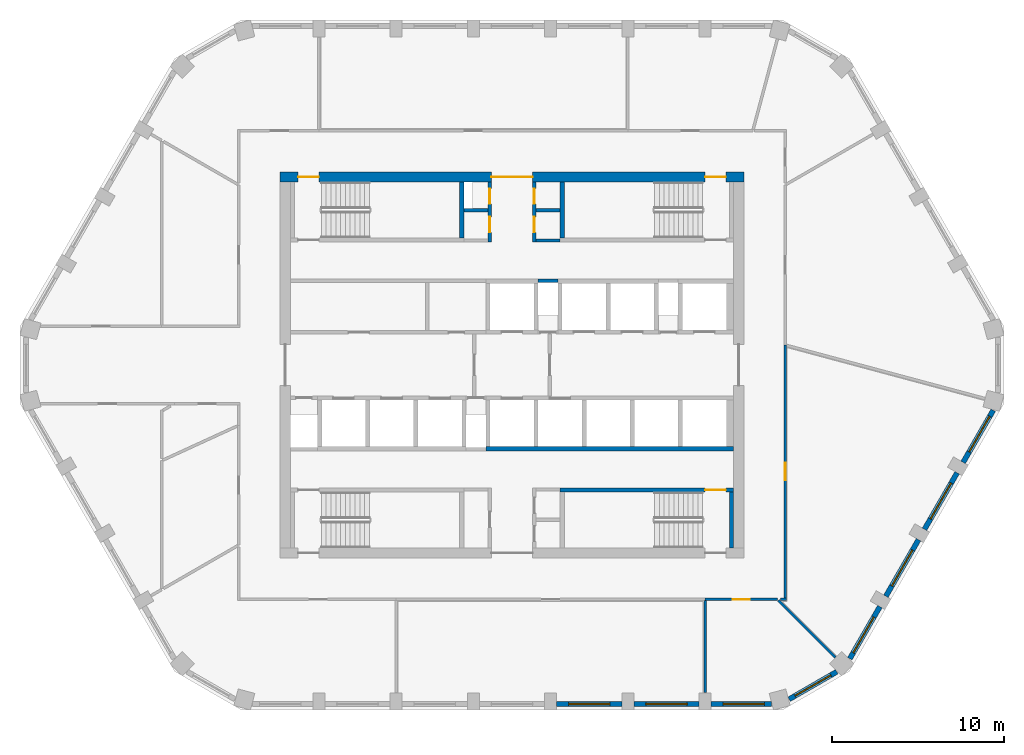
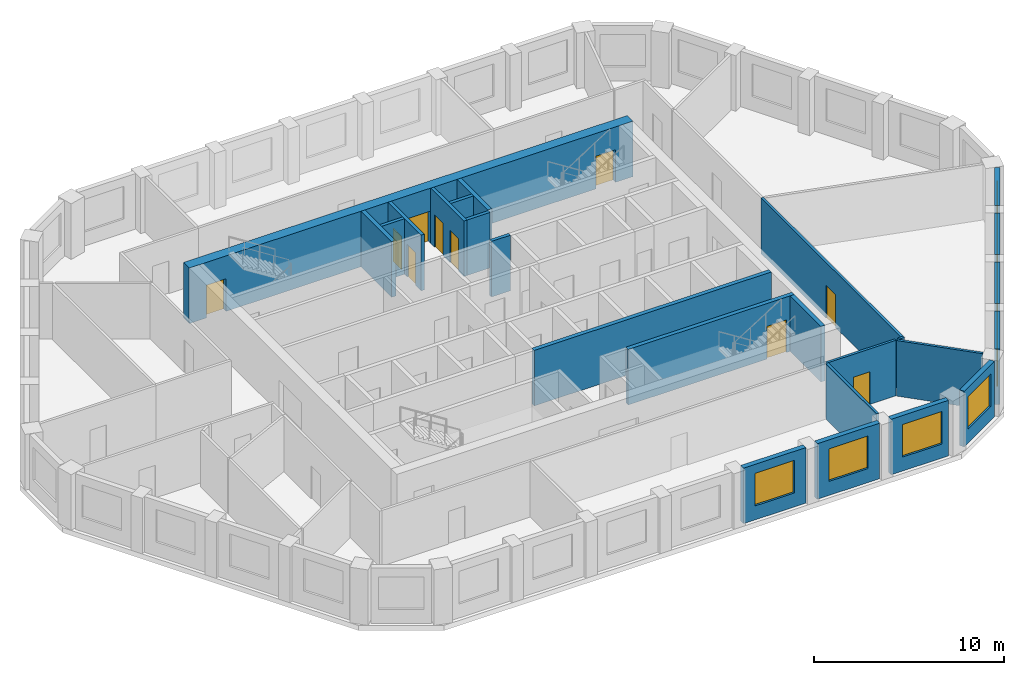
# One storey, part 4 of 10: 25 walls, 10 doors, 8 windows, 18 openings.
"""IFC4 building model written with IfcOpenShell, lengths in metres."""

from ifc_helpers import new_model, si_unit, direction, frame, frame_2d, origin, place, context, subcontext, project, spatial, polyline, rectangle, outline, extrude, material, layer, layer_set, type_object, element, fill, save


model = new_model("IFC4")

# Units and contexts
model_context = context("Model", 3, precision=1e-05, world=origin(), true_north=direction((0.0, 1.0)))
body_context = subcontext(model_context, "Body", "Model", "MODEL_VIEW")
ifc_project = project(units=[si_unit("LENGTHUNIT", "METRE"), si_unit("AREAUNIT", "SQUARE_METRE"), si_unit("VOLUMEUNIT", "CUBIC_METRE"), si_unit("PLANEANGLEUNIT", "RADIAN"), si_unit("MASSUNIT", "GRAM", prefix="KILO")], contexts=[model_context])

# Site, building, storey
site_placement = place(None, origin())
site = spatial("IfcSite", under=ifc_project, at=site_placement, CompositionType="ELEMENT")
building_placement = place(site_placement, origin())
building = spatial("IfcBuilding", under=site, at=building_placement, Name="Dhurran Vertical Campus", CompositionType="ELEMENT")
storey_placement = place(building_placement, frame((0.0, 0.0, 243.0)))
storey = spatial("IfcBuildingStorey", under=building, at=storey_placement, Name="L60", CompositionType="ELEMENT", Elevation=243.0)

# Wall, opening, window
ifc_material_1 = material(Name="Precast concrete C50/60", Category="concrete")
ifc_layer_1 = layer(ifc_material_1, 0.300048828125)
ifc_layer_set_1 = layer_set([ifc_layer_1], Name="Precast concrete C50/60")
wall_type_1 = type_object("IfcWallType", Name="Precast spandrel wall 300", PredefinedType="SOLIDWALL", material=ifc_layer_set_1)
wall_1_placement = place(storey_placement, frame((2.6005859375, -19.738525390625, 0.0), z_axis=(0.0, 0.0, 1.0), x_axis=(1.0, 0.0, 0.0)))
wall_1 = element("IfcWall", 1, at=wall_1_placement, inside=storey, type_object=wall_type_1, Name="EW1 L60.04", PredefinedType="SOLIDWALL", context=body_context, shape_type="SweptSolid", body=[
    extrude(rectangle(XDim=3.798828125, YDim=0.300048828125, at=frame_2d((1.8994140625, 0.0))), origin(), (0.0, 0.0, 1.0), 3.574951171875),
])
opening_1_placement = place(wall_1_placement, frame((0.699462890625, 0.0, 0.89990234375)))
opening_1 = element("IfcOpeningElement", 2, at=opening_1_placement, cuts=wall_1, Name="Opening WT1", PredefinedType="OPENING", context=body_context, shape_type="SweptSolid", body=[
    extrude(rectangle(XDim=2.39990234375, YDim=2.10009765625, at=frame_2d((1.199951171875, 1.050048828125))), frame((0.0, 0.159912109375, 0.0), z_axis=(0.0, -1.0, 0.0), x_axis=(1.0, 0.0, 0.0)), (0.0, 0.0, 1.0), 0.320068359375),
])
ifc_material_2 = material(Name="Aluminium frame with solar-control glass", Category="aluminium")
window_type = type_object("IfcWindowType", Name="Punched window 2400 x 2100", PartitioningType="SINGLE_PANEL", PredefinedType="WINDOW", material=ifc_material_2)
window_1_placement = place(opening_1_placement, origin())
window_1 = element("IfcWindow", 3, at=window_1_placement, inside=storey, type_object=window_type, Name="WT1 L60.04", OverallHeight=2.10009765625, OverallWidth=2.39990234375, PartitioningType="SINGLE_PANEL", PredefinedType="WINDOW", context=body_context, shape_type="SweptSolid", body=[
    extrude(rectangle(XDim=2.39990234375, YDim=2.10009765625, at=frame_2d((1.199951171875, 1.050048828125))), frame((0.0, 0.030029296875, 0.0), z_axis=(0.0, -1.0, 0.0), x_axis=(1.0, 0.0, 0.0)), (0.0, 0.0, 1.0), 0.06005859375),
])
fill(opening_1, window_1)

wall_2_placement = place(storey_placement, frame((7.1005859375, -19.738525390625, 0.0), z_axis=(0.0, 0.0, 1.0), x_axis=(1.0, 0.0, 0.0)))
wall_2 = element("IfcWall", 4, at=wall_2_placement, inside=storey, type_object=wall_type_1, Name="EW1 L60.05", PredefinedType="SOLIDWALL", context=body_context, shape_type="SweptSolid", body=[
    extrude(rectangle(XDim=3.798828125, YDim=0.300048828125, at=frame_2d((1.8994140625, 0.0))), origin(), (0.0, 0.0, 1.0), 3.574951171875),
])
opening_2_placement = place(wall_2_placement, frame((0.699462890625, 0.0, 0.89990234375)))
opening_2 = element("IfcOpeningElement", 5, at=opening_2_placement, cuts=wall_2, Name="Opening WT1", PredefinedType="OPENING", context=body_context, shape_type="SweptSolid", body=[
    extrude(rectangle(XDim=2.39990234375, YDim=2.10009765625, at=frame_2d((1.199951171875, 1.050048828125))), frame((0.0, 0.159912109375, 0.0), z_axis=(0.0, -1.0, 0.0), x_axis=(1.0, 0.0, 0.0)), (0.0, 0.0, 1.0), 0.320068359375),
])
window_2_placement = place(opening_2_placement, origin())
window_2 = element("IfcWindow", 6, at=window_2_placement, inside=storey, type_object=window_type, Name="WT1 L60.05", OverallHeight=2.10009765625, OverallWidth=2.39990234375, PartitioningType="SINGLE_PANEL", PredefinedType="WINDOW", context=body_context, shape_type="SweptSolid", body=[
    extrude(rectangle(XDim=2.39990234375, YDim=2.10009765625, at=frame_2d((1.199951171875, 1.050048828125))), frame((0.0, 0.030029296875, 0.0), z_axis=(0.0, -1.0, 0.0), x_axis=(1.0, 0.0, 0.0)), (0.0, 0.0, 1.0), 0.06005859375),
])
fill(opening_2, window_2)

wall_3_placement = place(storey_placement, frame((11.6005859375, -19.738525390625, 0.0), z_axis=(0.0, 0.0, 1.0), x_axis=(1.0, 0.0, 0.0)))
wall_3 = element("IfcWall", 7, at=wall_3_placement, inside=storey, type_object=wall_type_1, Name="EW1 L60.06", PredefinedType="SOLIDWALL", context=body_context, shape_type="SweptSolid", body=[
    extrude(rectangle(XDim=3.49755859375, YDim=0.300048828125, at=frame_2d((1.748779296875, 0.0))), origin(), (0.0, 0.0, 1.0), 3.574951171875),
])
opening_3_placement = place(wall_3_placement, frame((0.699462890625, 0.0, 0.89990234375)))
opening_3 = element("IfcOpeningElement", 8, at=opening_3_placement, cuts=wall_3, Name="Opening WT1", PredefinedType="OPENING", context=body_context, shape_type="SweptSolid", body=[
    extrude(rectangle(XDim=2.39990234375, YDim=2.10009765625, at=frame_2d((1.199951171875, 1.050048828125))), frame((0.0, 0.159912109375, 0.0), z_axis=(0.0, -1.0, 0.0), x_axis=(1.0, 0.0, 0.0)), (0.0, 0.0, 1.0), 0.320068359375),
])
window_3_placement = place(opening_3_placement, origin())
window_3 = element("IfcWindow", 9, at=window_3_placement, inside=storey, type_object=window_type, Name="WT1 L60.06", OverallHeight=2.10009765625, OverallWidth=2.39990234375, PartitioningType="SINGLE_PANEL", PredefinedType="WINDOW", context=body_context, shape_type="SweptSolid", body=[
    extrude(rectangle(XDim=2.39990234375, YDim=2.10009765625, at=frame_2d((1.199951171875, 1.050048828125))), frame((0.0, 0.030029296875, 0.0), z_axis=(0.0, -1.0, 0.0), x_axis=(1.0, 0.0, 0.0)), (0.0, 0.0, 1.0), 0.06005859375),
])
fill(opening_3, window_3)

wall_4_placement = place(storey_placement, frame((16.1396484375, -19.45947265625, 0.0), z_axis=(0.0, 0.0, 1.0), x_axis=(0.866025316205, 0.500000151692, 0.0)))
wall_4 = element("IfcWall", 10, at=wall_4_placement, inside=storey, type_object=wall_type_1, Name="EW1 L60.07", PredefinedType="SOLIDWALL", context=body_context, shape_type="SweptSolid", body=[
    extrude(rectangle(XDim=3.1962890625, YDim=0.300048828125, at=frame_2d((1.59814453125, 0.0))), origin(), (0.0, 0.0, 1.0), 3.574951171875),
])
opening_4_placement = place(wall_4_placement, frame((0.398193359375, 0.0, 0.89990234375)))
opening_4 = element("IfcOpeningElement", 11, at=opening_4_placement, cuts=wall_4, Name="Opening WT1", PredefinedType="OPENING", context=body_context, shape_type="SweptSolid", body=[
    extrude(rectangle(XDim=2.39990234375, YDim=2.10009765625, at=frame_2d((1.199951171875, 1.050048828125))), frame((0.0, 0.159912109375, 0.0), z_axis=(0.0, -1.0, 0.0), x_axis=(1.0, 0.0, 0.0)), (0.0, 0.0, 1.0), 0.320068359375),
])
window_4_placement = place(opening_4_placement, origin())
window_4 = element("IfcWindow", 12, at=window_4_placement, inside=storey, type_object=window_type, Name="WT1 L60.07", OverallHeight=2.10009765625, OverallWidth=2.39990234375, PartitioningType="SINGLE_PANEL", PredefinedType="WINDOW", context=body_context, shape_type="SweptSolid", body=[
    extrude(rectangle(XDim=2.39990234375, YDim=2.10009765625, at=frame_2d((1.199951171875, 1.050048828125))), frame((0.0, 0.030029296875, 0.0), z_axis=(0.0, -1.0, 0.0), x_axis=(1.0, 0.0, 0.0)), (0.0, 0.0, 1.0), 0.06005859375),
])
fill(opening_4, window_4)

wall_5_placement = place(storey_placement, frame((19.669921875, -17.09912109375, 0.0), z_axis=(0.0, 0.0, 1.0), x_axis=(0.499960102815, 0.866048437209, 0.0)))
wall_5 = element("IfcWall", 13, at=wall_5_placement, inside=storey, type_object=wall_type_1, Name="EW1 L60.08", PredefinedType="SOLIDWALL", context=body_context, shape_type="SweptSolid", body=[
    extrude(rectangle(XDim=3.497802734375, YDim=0.300048828125, at=frame_2d((1.7490234375, 0.0))), origin(), (0.0, 0.0, 1.0), 3.574951171875),
])
opening_5_placement = place(wall_5_placement, frame((0.398193359375, 0.0, 0.89990234375)))
opening_5 = element("IfcOpeningElement", 14, at=opening_5_placement, cuts=wall_5, Name="Opening WT1", PredefinedType="OPENING", context=body_context, shape_type="SweptSolid", body=[
    extrude(rectangle(XDim=2.39990234375, YDim=2.10009765625, at=frame_2d((1.199951171875, 1.050048828125))), frame((0.0, 0.159912109375, 0.0), z_axis=(0.0, -1.0, 0.0), x_axis=(1.0, 0.0, 0.0)), (0.0, 0.0, 1.0), 0.320068359375),
])
window_5_placement = place(opening_5_placement, origin())
window_5 = element("IfcWindow", 15, at=window_5_placement, inside=storey, type_object=window_type, Name="WT1 L60.08", OverallHeight=2.10009765625, OverallWidth=2.39990234375, PartitioningType="SINGLE_PANEL", PredefinedType="WINDOW", context=body_context, shape_type="SweptSolid", body=[
    extrude(rectangle(XDim=2.39990234375, YDim=2.10009765625, at=frame_2d((1.199951171875, 1.050048828125))), frame((0.0, 0.030029296875, 0.0), z_axis=(0.0, -1.0, 0.0), x_axis=(1.0, 0.0, 0.0)), (0.0, 0.0, 1.0), 0.06005859375),
])
fill(opening_5, window_5)

wall_6_placement = place(storey_placement, frame((21.769287109375, -13.462890625, 0.0), z_axis=(0.0, 0.0, 1.0), x_axis=(0.499982058975, 0.866035761792, 0.0)))
wall_6 = element("IfcWall", 16, at=wall_6_placement, inside=storey, type_object=wall_type_1, Name="EW1 L60.09", PredefinedType="SOLIDWALL", context=body_context, shape_type="SweptSolid", body=[
    extrude(rectangle(XDim=3.799072265625, YDim=0.300048828125, at=frame_2d((1.8994140625, 0.0))), origin(), (0.0, 0.0, 1.0), 3.574951171875),
])
opening_6_placement = place(wall_6_placement, frame((0.699462890625, 0.0, 0.89990234375)))
opening_6 = element("IfcOpeningElement", 17, at=opening_6_placement, cuts=wall_6, Name="Opening WT1", PredefinedType="OPENING", context=body_context, shape_type="SweptSolid", body=[
    extrude(rectangle(XDim=2.39990234375, YDim=2.10009765625, at=frame_2d((1.199951171875, 1.050048828125))), frame((0.0, 0.159912109375, 0.0), z_axis=(0.0, -1.0, 0.0), x_axis=(1.0, 0.0, 0.0)), (0.0, 0.0, 1.0), 0.320068359375),
])
window_6_placement = place(opening_6_placement, origin())
window_6 = element("IfcWindow", 18, at=window_6_placement, inside=storey, type_object=window_type, Name="WT1 L60.09", OverallHeight=2.10009765625, OverallWidth=2.39990234375, PartitioningType="SINGLE_PANEL", PredefinedType="WINDOW", context=body_context, shape_type="SweptSolid", body=[
    extrude(rectangle(XDim=2.39990234375, YDim=2.10009765625, at=frame_2d((1.199951171875, 1.050048828125))), frame((0.0, 0.030029296875, 0.0), z_axis=(0.0, -1.0, 0.0), x_axis=(1.0, 0.0, 0.0)), (0.0, 0.0, 1.0), 0.06005859375),
])
fill(opening_6, window_6)

wall_7_placement = place(storey_placement, frame((24.019287109375, -9.565673828125, 0.0), z_axis=(0.0, 0.0, 1.0), x_axis=(0.499982058975, 0.866035761792, 0.0)))
wall_7 = element("IfcWall", 19, at=wall_7_placement, inside=storey, type_object=wall_type_1, Name="EW1 L60.10", PredefinedType="SOLIDWALL", context=body_context, shape_type="SweptSolid", body=[
    extrude(rectangle(XDim=3.799072265625, YDim=0.300048828125, at=frame_2d((1.8994140625, 0.0))), origin(), (0.0, 0.0, 1.0), 3.574951171875),
])
opening_7_placement = place(wall_7_placement, frame((0.699462890625, 0.0, 0.89990234375)))
opening_7 = element("IfcOpeningElement", 20, at=opening_7_placement, cuts=wall_7, Name="Opening WT1", PredefinedType="OPENING", context=body_context, shape_type="SweptSolid", body=[
    extrude(rectangle(XDim=2.39990234375, YDim=2.10009765625, at=frame_2d((1.199951171875, 1.050048828125))), frame((0.0, 0.159912109375, 0.0), z_axis=(0.0, -1.0, 0.0), x_axis=(1.0, 0.0, 0.0)), (0.0, 0.0, 1.0), 0.320068359375),
])
window_7_placement = place(opening_7_placement, origin())
window_7 = element("IfcWindow", 21, at=window_7_placement, inside=storey, type_object=window_type, Name="WT1 L60.10", OverallHeight=2.10009765625, OverallWidth=2.39990234375, PartitioningType="SINGLE_PANEL", PredefinedType="WINDOW", context=body_context, shape_type="SweptSolid", body=[
    extrude(rectangle(XDim=2.39990234375, YDim=2.10009765625, at=frame_2d((1.199951171875, 1.050048828125))), frame((0.0, 0.030029296875, 0.0), z_axis=(0.0, -1.0, 0.0), x_axis=(1.0, 0.0, 0.0)), (0.0, 0.0, 1.0), 0.06005859375),
])
fill(opening_7, window_7)

wall_8_placement = place(storey_placement, frame((26.269287109375, -5.668701171875, 0.0), z_axis=(0.0, 0.0, 1.0), x_axis=(0.499990325971, 0.866030989016, 0.0)))
wall_8 = element("IfcWall", 22, at=wall_8_placement, inside=storey, type_object=wall_type_1, Name="EW1 L60.11", PredefinedType="SOLIDWALL", context=body_context, shape_type="SweptSolid", body=[
    extrude(rectangle(XDim=3.49755859375, YDim=0.300048828125, at=frame_2d((1.748779296875, 0.0))), origin(), (0.0, 0.0, 1.0), 3.574951171875),
])
opening_8_placement = place(wall_8_placement, frame((0.699462890625, 0.0, 0.89990234375)))
opening_8 = element("IfcOpeningElement", 23, at=opening_8_placement, cuts=wall_8, Name="Opening WT1", PredefinedType="OPENING", context=body_context, shape_type="SweptSolid", body=[
    extrude(rectangle(XDim=2.39990234375, YDim=2.10009765625, at=frame_2d((1.199951171875, 1.050048828125))), frame((0.0, 0.159912109375, 0.0), z_axis=(0.0, -1.0, 0.0), x_axis=(1.0, 0.0, 0.0)), (0.0, 0.0, 1.0), 0.320068359375),
])
window_8_placement = place(opening_8_placement, origin())
window_8 = element("IfcWindow", 24, at=window_8_placement, inside=storey, type_object=window_type, Name="WT1 L60.11", OverallHeight=2.10009765625, OverallWidth=2.39990234375, PartitioningType="SINGLE_PANEL", PredefinedType="WINDOW", context=body_context, shape_type="SweptSolid", body=[
    extrude(rectangle(XDim=2.39990234375, YDim=2.10009765625, at=frame_2d((1.199951171875, 1.050048828125))), frame((0.0, 0.030029296875, 0.0), z_axis=(0.0, -1.0, 0.0), x_axis=(1.0, 0.0, 0.0)), (0.0, 0.0, 1.0), 0.06005859375),
])
fill(opening_8, window_8)

# Wall, openings, doors
ifc_material_3 = material(Name="Concrete C50/60", Category="concrete")
ifc_layer_2 = layer(ifc_material_3, 0.60009765625)
ifc_layer_set_2 = layer_set([ifc_layer_2], Name="Concrete C50/60")
wall_type_2 = type_object("IfcWallType", Name="co-CORE-WALL-C2-600", PredefinedType="SHEAR", material=ifc_layer_set_2)
wall_9_placement = place(storey_placement, frame((-13.5, 10.949951171875, 0.0), z_axis=(0.0, 0.0, 1.0), x_axis=(1.0, 0.0, 0.0)))
wall_9 = element("IfcWall", 25, at=wall_9_placement, inside=storey, type_object=wall_type_2, Name="Core wall N L60", PredefinedType="SHEAR", context=body_context, shape_type="SweptSolid", body=[
    extrude(rectangle(XDim=27.0, YDim=0.60009765625, at=frame_2d((13.5, 0.0))), origin(), (0.0, 0.0, 1.0), 3.574951171875),
])
opening_9_placement = place(wall_9_placement, frame((12.300048828125, 0.0, 0.0)))
opening_9 = element("IfcOpeningElement", 26, at=opening_9_placement, cuts=wall_9, Name="Opening CV1", PredefinedType="OPENING", context=body_context, shape_type="SweptSolid", body=[
    extrude(rectangle(XDim=2.39990234375, YDim=2.10009765625, at=frame_2d((1.199951171875, 1.050048828125))), frame((0.0, 0.31005859375, 0.0), z_axis=(0.0, -1.0, 0.0), x_axis=(1.0, 0.0, 0.0)), (0.0, 0.0, 1.0), 0.6201171875),
])
opening_10_placement = place(wall_9_placement, frame((1.050048828125, 0.0, 0.0)))
opening_10 = element("IfcOpeningElement", 27, at=opening_10_placement, cuts=wall_9, Name="Opening XD1", PredefinedType="OPENING", context=body_context, shape_type="SweptSolid", body=[
    extrude(rectangle(XDim=1.199951171875, YDim=2.10009765625, at=frame_2d((0.60009765625, 1.050048828125))), frame((0.0, 0.31005859375, 0.0), z_axis=(0.0, -1.0, 0.0), x_axis=(1.0, 0.0, 0.0)), (0.0, 0.0, 1.0), 0.6201171875),
])
opening_11_placement = place(wall_9_placement, frame((24.75, 0.0, 0.0)))
opening_11 = element("IfcOpeningElement", 28, at=opening_11_placement, cuts=wall_9, Name="Opening XD2", PredefinedType="OPENING", context=body_context, shape_type="SweptSolid", body=[
    extrude(rectangle(XDim=1.199951171875, YDim=2.10009765625, at=frame_2d((0.60009765625, 1.050048828125))), frame((0.0, 0.31005859375, 0.0), z_axis=(0.0, -1.0, 0.0), x_axis=(1.0, 0.0, 0.0)), (0.0, 0.0, 1.0), 0.6201171875),
])
ifc_material_4 = material(Name="Fire-rated glazed door set")
door_type_1 = type_object("IfcDoorType", Name="co-D-LOBBY 2400x2100", OperationType="DOUBLE_DOOR_DOUBLE_SWING", PredefinedType="DOOR", material=ifc_material_4)
door_1_placement = place(opening_9_placement, origin())
door_1 = element("IfcDoor", 29, at=door_1_placement, inside=storey, type_object=door_type_1, Name="Core vestibule door N L60", OperationType="DOUBLE_DOOR_DOUBLE_SWING", OverallHeight=2.10009765625, OverallWidth=2.39990234375, PredefinedType="DOOR", context=body_context, shape_type="SweptSolid", body=[
    extrude(rectangle(XDim=2.39990234375, YDim=2.10009765625, at=frame_2d((1.199951171875, 1.050048828125))), frame((0.0, 0.02490234375, 0.0), z_axis=(0.0, -1.0, 0.0), x_axis=(1.0, 0.0, 0.0)), (0.0, 0.0, 1.0), 0.050048828125),
])
fill(opening_9, door_1)
ifc_material_5 = material(Name="Fire-rated steel door set", Category="steel")
door_type_2 = type_object("IfcDoorType", Name="co-D-STAIR-EXIT 1200x2100", OperationType="SINGLE_SWING_RIGHT", PredefinedType="DOOR", material=ifc_material_5)
door_2_placement = place(opening_10_placement, origin())
door_2 = element("IfcDoor", 30, at=door_2_placement, inside=storey, type_object=door_type_2, Name="Stair ST1 exit door L60", OperationType="SINGLE_SWING_RIGHT", OverallHeight=2.10009765625, OverallWidth=1.199951171875, PredefinedType="DOOR", context=body_context, shape_type="SweptSolid", body=[
    extrude(rectangle(XDim=1.199951171875, YDim=2.10009765625, at=frame_2d((0.60009765625, 1.050048828125))), frame((0.0, 0.02490234375, 0.0), z_axis=(0.0, -1.0, 0.0), x_axis=(1.0, 0.0, 0.0)), (0.0, 0.0, 1.0), 0.050048828125),
])
fill(opening_10, door_2)
door_3_placement = place(opening_11_placement, origin())
door_3 = element("IfcDoor", 31, at=door_3_placement, inside=storey, type_object=door_type_2, Name="Stair ST2 exit door L60", OperationType="SINGLE_SWING_RIGHT", OverallHeight=2.10009765625, OverallWidth=1.199951171875, PredefinedType="DOOR", context=body_context, shape_type="SweptSolid", body=[
    extrude(rectangle(XDim=1.199951171875, YDim=2.10009765625, at=frame_2d((0.60009765625, 1.050048828125))), frame((0.0, 0.02490234375, 0.0), z_axis=(0.0, -1.0, 0.0), x_axis=(1.0, 0.0, 0.0)), (0.0, 0.0, 1.0), 0.050048828125),
])
fill(opening_11, door_3)

# Walls
ifc_material_6 = material(Name="Fire-rated masonry blockwork", Category="masonry")
ifc_layer_3 = layer(ifc_material_6, 0.199951171875)
ifc_layer_set_3 = layer_set([ifc_layer_3], Name="Fire-rated masonry blockwork")
wall_type_3 = type_object("IfcWallType", Name="co-FIRE-PARTITION-200", PredefinedType="PARTITIONING", material=ifc_layer_set_3)
for number, where, z_axis, x_axis, name in (
    (32, (-2.800048828125, 9.0, 0.0), (0.0, 0.0, 1.0), (1.0, 0.0, 0.0), "Core partition sl-NW-cut0 L60"),
    (33, (1.39990234375, 7.25, 0.0), (0.0, 0.0, 1.0), (1.0, 0.0, 0.0), "Core partition sl-NE-S L60"),
    (34, (1.39990234375, 9.0, 0.0), (0.0, 0.0, 1.0), (1.0, 0.0, 0.0), "Core partition sl-NE-cut0 L60"),
):
    element("IfcWall", number, at=place(storey_placement, frame(where, z_axis=z_axis, x_axis=x_axis)), inside=storey, type_object=wall_type_3, Name=name, PredefinedType="PARTITIONING", context=body_context, shape_type="SweptSolid", body=[
        extrude(rectangle(XDim=1.400146484375, YDim=0.199951171875, at=frame_2d((0.7001953125, 0.0))), origin(), (0.0, 0.0, 1.0), 3.574951171875),
    ])

# Wall, openings, doors
wall_10_placement = place(storey_placement, frame((-1.300048828125, 7.14990234375, 0.0), z_axis=(0.0, 0.0, 1.0), x_axis=(0.0, 1.0, 0.0)))
wall_10 = element("IfcWall", 35, at=wall_10_placement, inside=storey, type_object=wall_type_3, Name="Core partition vest-NW L60", PredefinedType="PARTITIONING", context=body_context, shape_type="SweptSolid", body=[
    extrude(rectangle(XDim=3.5, YDim=0.199951171875, at=frame_2d((1.75, 0.0))), origin(), (0.0, 0.0, 1.0), 3.574951171875),
])
opening_12_placement = place(wall_10_placement, frame((0.574951171875, 0.0, 0.0)))
opening_12 = element("IfcOpeningElement", 36, at=opening_12_placement, cuts=wall_10, Name="Opening T17-C4", PredefinedType="OPENING", context=body_context, shape_type="SweptSolid", body=[
    extrude(rectangle(XDim=0.89990234375, YDim=2.10009765625, at=frame_2d((0.449951171875, 1.050048828125))), frame((0.0, 0.10986328125, 0.0), z_axis=(0.0, -1.0, 0.0), x_axis=(1.0, 0.0, 0.0)), (0.0, 0.0, 1.0), 0.219970703125),
])
opening_13_placement = place(wall_10_placement, frame((2.22509765625, 0.0, 0.0)))
opening_13 = element("IfcOpeningElement", 37, at=opening_13_placement, cuts=wall_10, Name="Opening T17-C5", PredefinedType="OPENING", context=body_context, shape_type="SweptSolid", body=[
    extrude(rectangle(XDim=0.89990234375, YDim=2.10009765625, at=frame_2d((0.449951171875, 1.050048828125))), frame((0.0, 0.10986328125, 0.0), z_axis=(0.0, -1.0, 0.0), x_axis=(1.0, 0.0, 0.0)), (0.0, 0.0, 1.0), 0.219970703125),
])
ifc_material_7 = material(Name="Fire-rated timber door set", Category="wood")
door_type_3 = type_object("IfcDoorType", Name="co-D-ROOM 900x2100", OperationType="SINGLE_SWING_LEFT", PredefinedType="DOOR", material=ifc_material_7)
door_4_placement = place(opening_12_placement, origin())
door_4 = element("IfcDoor", 38, at=door_4_placement, inside=storey, type_object=door_type_3, Name="Waste room door L60", OperationType="SINGLE_SWING_LEFT", OverallHeight=2.10009765625, OverallWidth=0.89990234375, PredefinedType="DOOR", context=body_context, shape_type="SweptSolid", body=[
    extrude(rectangle(XDim=0.89990234375, YDim=2.10009765625, at=frame_2d((0.449951171875, 1.050048828125))), frame((0.0, 0.02490234375, 0.0), z_axis=(0.0, -1.0, 0.0), x_axis=(1.0, 0.0, 0.0)), (0.0, 0.0, 1.0), 0.050048828125),
])
fill(opening_12, door_4)
door_5_placement = place(opening_13_placement, origin())
door_5 = element("IfcDoor", 39, at=door_5_placement, inside=storey, type_object=door_type_3, Name="Electrical riser door L60", OperationType="SINGLE_SWING_LEFT", OverallHeight=2.10009765625, OverallWidth=0.89990234375, PredefinedType="DOOR", context=body_context, shape_type="SweptSolid", body=[
    extrude(rectangle(XDim=0.89990234375, YDim=2.10009765625, at=frame_2d((0.449951171875, 1.050048828125))), frame((0.0, 0.02490234375, 0.0), z_axis=(0.0, -1.0, 0.0), x_axis=(1.0, 0.0, 0.0)), (0.0, 0.0, 1.0), 0.050048828125),
])
fill(opening_13, door_5)

wall_11_placement = place(storey_placement, frame((1.300048828125, 7.14990234375, 0.0), z_axis=(0.0, 0.0, 1.0), x_axis=(0.0, 1.0, 0.0)))
wall_11 = element("IfcWall", 40, at=wall_11_placement, inside=storey, type_object=wall_type_3, Name="Core partition vest-NE L60", PredefinedType="PARTITIONING", context=body_context, shape_type="SweptSolid", body=[
    extrude(rectangle(XDim=3.5, YDim=0.199951171875, at=frame_2d((1.75, 0.0))), origin(), (0.0, 0.0, 1.0), 3.574951171875),
])
opening_14_placement = place(wall_11_placement, frame((0.574951171875, 0.0, 0.0)))
opening_14 = element("IfcOpeningElement", 41, at=opening_14_placement, cuts=wall_11, Name="Opening T17-C6", PredefinedType="OPENING", context=body_context, shape_type="SweptSolid", body=[
    extrude(rectangle(XDim=0.89990234375, YDim=2.10009765625, at=frame_2d((0.449951171875, 1.050048828125))), frame((0.0, 0.10986328125, 0.0), z_axis=(0.0, -1.0, 0.0), x_axis=(1.0, 0.0, 0.0)), (0.0, 0.0, 1.0), 0.219970703125),
])
opening_15_placement = place(wall_11_placement, frame((2.22509765625, 0.0, 0.0)))
opening_15 = element("IfcOpeningElement", 42, at=opening_15_placement, cuts=wall_11, Name="Opening T17-C7", PredefinedType="OPENING", context=body_context, shape_type="SweptSolid", body=[
    extrude(rectangle(XDim=0.89990234375, YDim=2.10009765625, at=frame_2d((0.449951171875, 1.050048828125))), frame((0.0, 0.10986328125, 0.0), z_axis=(0.0, -1.0, 0.0), x_axis=(1.0, 0.0, 0.0)), (0.0, 0.0, 1.0), 0.219970703125),
])
door_6_placement = place(opening_14_placement, origin())
door_6 = element("IfcDoor", 43, at=door_6_placement, inside=storey, type_object=door_type_3, Name="Pantry door L60", OperationType="SINGLE_SWING_LEFT", OverallHeight=2.10009765625, OverallWidth=0.89990234375, PredefinedType="DOOR", context=body_context, shape_type="SweptSolid", body=[
    extrude(rectangle(XDim=0.89990234375, YDim=2.10009765625, at=frame_2d((0.449951171875, 1.050048828125))), frame((0.0, 0.02490234375, 0.0), z_axis=(0.0, -1.0, 0.0), x_axis=(1.0, 0.0, 0.0)), (0.0, 0.0, 1.0), 0.050048828125),
])
fill(opening_14, door_6)
door_7_placement = place(opening_15_placement, origin())
door_7 = element("IfcDoor", 44, at=door_7_placement, inside=storey, type_object=door_type_3, Name="Housekeeping store door L60", OperationType="SINGLE_SWING_LEFT", OverallHeight=2.10009765625, OverallWidth=0.89990234375, PredefinedType="DOOR", context=body_context, shape_type="SweptSolid", body=[
    extrude(rectangle(XDim=0.89990234375, YDim=2.10009765625, at=frame_2d((0.449951171875, 1.050048828125))), frame((0.0, 0.02490234375, 0.0), z_axis=(0.0, -1.0, 0.0), x_axis=(1.0, 0.0, 0.0)), (0.0, 0.0, 1.0), 0.050048828125),
])
fill(opening_15, door_7)

# Walls
wall_12_placement = place(storey_placement, frame((1.52490234375, 4.89990234375, 0.0), z_axis=(0.0, 0.0, 1.0), x_axis=(1.0, 0.0, 0.0)))
element("IfcWall", 45, at=wall_12_placement, inside=storey, type_object=wall_type_3, Name="Core partition fr-N1-b L60", PredefinedType="PARTITIONING", context=body_context, shape_type="SweptSolid", body=[
    extrude(rectangle(XDim=1.150146484375, YDim=0.199951171875, at=frame_2d((0.5751953125, 0.0))), origin(), (0.0, 0.0, 1.0), 3.574951171875),
])
ifc_material_8 = material(Name="Concrete C50/60", Category="concrete")
ifc_layer_4 = layer(ifc_material_8, 0.25)
ifc_layer_set_4 = layer_set([ifc_layer_4], Name="Concrete C50/60")
wall_type_4 = type_object("IfcWallType", Name="co-SHAFT-MASS-250", PredefinedType="SHEAR", material=ifc_layer_set_4)
wall_13_placement = place(storey_placement, origin())
element("IfcWall", 46, at=wall_13_placement, inside=storey, type_object=wall_type_4, Name="Lift shaft wall S L60 2", PredefinedType="SHEAR", context=body_context, shape_type="SweptSolid", body=[
    extrude(outline(polyline([(-1.52490234375, -5.0), (12.89990234375, -5.0), (12.89990234375, -4.75), (-1.52490234375, -4.75), (-1.52490234375, -5.0)])), origin(), (0.0, 0.0, 1.0), 3.574951171875),
])
ifc_material_9 = material(Name="Concrete C40/50", Category="concrete")
ifc_layer_5 = layer(ifc_material_9, 0.25)
ifc_layer_set_5 = layer_set([ifc_layer_5], Name="Concrete C40/50")
wall_type_5 = type_object("IfcWallType", Name="co-STAIR-WALL-250", PredefinedType="SHEAR", material=ifc_layer_set_5)
for number, where, z_axis, x_axis, name in (
    (47, (-2.925048828125, 7.39990234375, 0.0), (0.0, 0.0, 1.0), (0.0, 1.0, 0.0), "Stair ST1 enclosure wall L60"),
    (48, (2.925048828125, 7.39990234375, 0.0), (0.0, 0.0, 1.0), (0.0, 1.0, 0.0), "Stair ST2 enclosure wall L60"),
):
    element("IfcWall", number, at=place(storey_placement, frame(where, z_axis=z_axis, x_axis=x_axis)), inside=storey, type_object=wall_type_5, Name=name, PredefinedType="SHEAR", context=body_context, shape_type="SweptSolid", body=[
        extrude(rectangle(XDim=3.25, YDim=0.25, at=frame_2d((1.625, 0.0))), origin(), (0.0, 0.0, 1.0), 3.574951171875),
    ])

# Wall, opening, door
wall_14_placement = place(storey_placement, frame((2.800048828125, -7.27490234375, 0.0), z_axis=(0.0, 0.0, 1.0), x_axis=(1.0, 0.0, 0.0)))
wall_14 = element("IfcWall", 49, at=wall_14_placement, inside=storey, type_object=wall_type_5, Name="Stair ST4 enclosure wall L60", PredefinedType="SHEAR", context=body_context, shape_type="SweptSolid", body=[
    extrude(rectangle(XDim=10.099853515625, YDim=0.25, at=frame_2d((5.0498046875, 0.0))), origin(), (0.0, 0.0, 1.0), 3.574951171875),
])
opening_16_placement = place(wall_14_placement, frame((8.449951171875, 0.0, 0.0)))
opening_16 = element("IfcOpeningElement", 50, at=opening_16_placement, cuts=wall_14, Name="Opening SD4", PredefinedType="OPENING", context=body_context, shape_type="SweptSolid", body=[
    extrude(rectangle(XDim=1.199951171875, YDim=2.10009765625, at=frame_2d((0.60009765625, 1.050048828125))), frame((0.0, 0.135009765625, 0.0), z_axis=(0.0, -1.0, 0.0), x_axis=(1.0, 0.0, 0.0)), (0.0, 0.0, 1.0), 0.27001953125),
])
ifc_material_10 = material(Name="Fire-rated steel door set", Category="steel")
door_type_4 = type_object("IfcDoorType", Name="co-D-STAIR 1200x2100", OperationType="SINGLE_SWING_LEFT", PredefinedType="DOOR", material=ifc_material_10)
door_8_placement = place(opening_16_placement, origin())
door_8 = element("IfcDoor", 51, at=door_8_placement, inside=storey, type_object=door_type_4, Name="Stair ST4 door L60", OperationType="SINGLE_SWING_LEFT", OverallHeight=2.10009765625, OverallWidth=1.199951171875, PredefinedType="DOOR", context=body_context, shape_type="SweptSolid", body=[
    extrude(rectangle(XDim=1.199951171875, YDim=2.10009765625, at=frame_2d((0.60009765625, 1.050048828125))), frame((0.0, 0.02490234375, 0.0), z_axis=(0.0, -1.0, 0.0), x_axis=(1.0, 0.0, 0.0)), (0.0, 0.0, 1.0), 0.050048828125),
])
fill(opening_16, door_8)

# Wall
wall_15_placement = place(storey_placement, frame((12.77490234375, -10.64990234375, 0.0), z_axis=(0.0, 0.0, 1.0), x_axis=(0.0, 1.0, 0.0)))
element("IfcWall", 52, at=wall_15_placement, inside=storey, type_object=wall_type_5, Name="Stair ST4 enclosure wall L60", PredefinedType="SHEAR", context=body_context, shape_type="SweptSolid", body=[
    extrude(rectangle(XDim=3.25, YDim=0.25, at=frame_2d((1.625, 0.0))), origin(), (0.0, 0.0, 1.0), 3.574951171875),
])

# Wall, opening, door
ifc_material_11 = material(Name="Gypsum board corridor wall on steel studs", Category="steel")
ifc_layer_6 = layer(ifc_material_11, 0.14990234375)
ifc_layer_set_6 = layer_set([ifc_layer_6], Name="Gypsum board corridor wall on steel studs")
wall_type_6 = type_object("IfcWallType", Name="fl-CW-150 corridor wall", PredefinedType="PARTITIONING", material=ifc_layer_set_6)
wall_16_placement = place(storey_placement, frame((11.25, -13.64990234375, 0.0), z_axis=(0.0, 0.0, 1.0), x_axis=(1.0, 0.0, 0.0)))
wall_16 = element("IfcWall", 53, at=wall_16_placement, inside=storey, type_object=wall_type_6, Name="Partition 60-28", PredefinedType="PARTITIONING", context=body_context, shape_type="SweptSolid", body=[
    extrude(rectangle(XDim=4.208984375, YDim=0.14990234375, at=frame_2d((2.1044921875, 0.0))), origin(), (0.0, 0.0, 1.0), 3.574951171875),
])
opening_17_placement = place(wall_16_placement, frame((1.6044921875, 0.0, 0.0)))
opening_17 = element("IfcOpeningElement", 54, at=opening_17_placement, cuts=wall_16, Name="Opening T17.11", PredefinedType="OPENING", context=body_context, shape_type="SweptSolid", body=[
    extrude(rectangle(XDim=1.0, YDim=2.10009765625, at=frame_2d((0.5, 1.050048828125))), frame((0.0, 0.0849609375, 0.0), z_axis=(0.0, -1.0, 0.0), x_axis=(1.0, 0.0, 0.0)), (0.0, 0.0, 1.0), 0.169921875),
])
ifc_material_12 = material(Name="Solid-core timber door set, fire-rated", Category="wood")
door_type_5 = type_object("IfcDoorType", Name="fl-D-1000x2100", OperationType="SINGLE_SWING_LEFT", PredefinedType="DOOR", material=ifc_material_12)
door_9_placement = place(opening_17_placement, origin())
door_9 = element("IfcDoor", 55, at=door_9_placement, inside=storey, type_object=door_type_5, Name="Door 60.11", OperationType="SINGLE_SWING_LEFT", OverallHeight=2.10009765625, OverallWidth=1.0, PredefinedType="DOOR", context=body_context, shape_type="SweptSolid", body=[
    extrude(rectangle(XDim=1.0, YDim=2.10009765625, at=frame_2d((0.5, 1.050048828125))), frame((0.0, 0.02490234375, 0.0), z_axis=(0.0, -1.0, 0.0), x_axis=(1.0, 0.0, 0.0)), (0.0, 0.0, 1.0), 0.050048828125),
])
fill(opening_17, door_9)

# Wall
wall_17_placement = place(storey_placement, frame((15.634033203125, -13.64990234375, 0.0), z_axis=(0.0, 0.0, 1.0), x_axis=(1.0, 0.0, 0.0)))
element("IfcWall", 56, at=wall_17_placement, inside=storey, type_object=wall_type_6, Name="Partition 60-31", PredefinedType="PARTITIONING", context=body_context, shape_type="SweptSolid", body=[
    extrude(rectangle(XDim=0.341064453125, YDim=0.14990234375, at=frame_2d((0.17041015625, 0.0))), origin(), (0.0, 0.0, 1.0), 3.574951171875),
])

# Wall, opening, door
wall_18_placement = place(storey_placement, frame((15.89990234375, -13.574951171875, 0.0), z_axis=(0.0, 0.0, 1.0), x_axis=(0.0, 1.0, 0.0)))
wall_18 = element("IfcWall", 57, at=wall_18_placement, inside=storey, type_object=wall_type_6, Name="Partition 60-33", PredefinedType="PARTITIONING", context=body_context, shape_type="SweptSolid", body=[
    extrude(rectangle(XDim=14.740966796875, YDim=0.14990234375, at=frame_2d((7.37060546875, 0.0))), origin(), (0.0, 0.0, 1.0), 3.574951171875),
])
opening_18_placement = place(wall_18_placement, frame((6.87060546875, 0.0, 0.0)))
opening_18 = element("IfcOpeningElement", 58, at=opening_18_placement, cuts=wall_18, Name="Opening T17.13", PredefinedType="OPENING", context=body_context, shape_type="SweptSolid", body=[
    extrude(rectangle(XDim=1.0, YDim=2.10009765625, at=frame_2d((0.5, 1.050048828125))), frame((0.0, 0.0849609375, 0.0), z_axis=(0.0, -1.0, 0.0), x_axis=(1.0, 0.0, 0.0)), (0.0, 0.0, 1.0), 0.169921875),
])
door_10_placement = place(opening_18_placement, origin())
door_10 = element("IfcDoor", 59, at=door_10_placement, inside=storey, type_object=door_type_5, Name="Door 60.13", OperationType="SINGLE_SWING_RIGHT", OverallHeight=2.10009765625, OverallWidth=1.0, PredefinedType="DOOR", context=body_context, shape_type="SweptSolid", body=[
    extrude(rectangle(XDim=1.0, YDim=2.10009765625, at=frame_2d((0.5, 1.050048828125))), frame((0.0, 0.02490234375, 0.0), z_axis=(0.0, -1.0, 0.0), x_axis=(1.0, 0.0, 0.0)), (0.0, 0.0, 1.0), 0.050048828125),
])
fill(opening_18, door_10)

# Walls
ifc_material_13 = material(Name="Gypsum board partition on steel studs", Category="steel")
ifc_layer_7 = layer(ifc_material_13, 0.14990234375)
ifc_layer_set_7 = layer_set([ifc_layer_7], Name="Gypsum board partition on steel studs")
wall_type_7 = type_object("IfcWallType", Name="fl-PW-150 fixed partition", PredefinedType="PARTITIONING", material=ifc_layer_set_7)
wall_19_placement = place(storey_placement, frame((11.25, -13.72509765625, 0.0), z_axis=(0.0, 0.0, 1.0), x_axis=(0.0, -1.0, 0.0)))
element("IfcWall", 60, at=wall_19_placement, inside=storey, type_object=wall_type_7, Name="Partition 60-27", PredefinedType="PARTITIONING", context=body_context, shape_type="SweptSolid", body=[
    extrude(rectangle(XDim=5.343505859375, YDim=0.14990234375, at=frame_2d((2.671875, 0.0))), origin(), (0.0, 0.0, 1.0), 3.574951171875),
])
wall_20_placement = place(storey_placement, frame((15.511962890625, -13.702880859375, 0.0), z_axis=(0.0, 0.0, 1.0), x_axis=(0.707002756653, -0.707210790419, 0.0)))
element("IfcWall", 61, at=wall_20_placement, inside=storey, type_object=wall_type_7, Name="Partition 60-32", PredefinedType="PARTITIONING", context=body_context, shape_type="SweptSolid", body=[
    extrude(rectangle(XDim=4.6943359375, YDim=0.14990234375, at=frame_2d((2.34716796875, 0.0))), origin(), (0.0, 0.0, 1.0), 3.574951171875),
])

save(model, "model.ifc")
